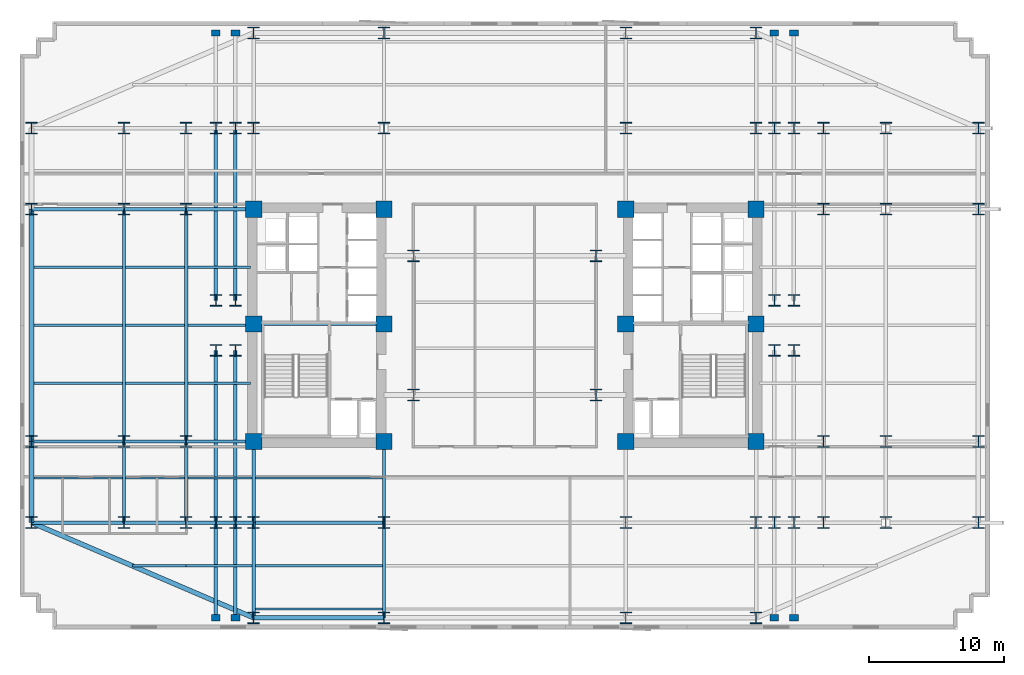
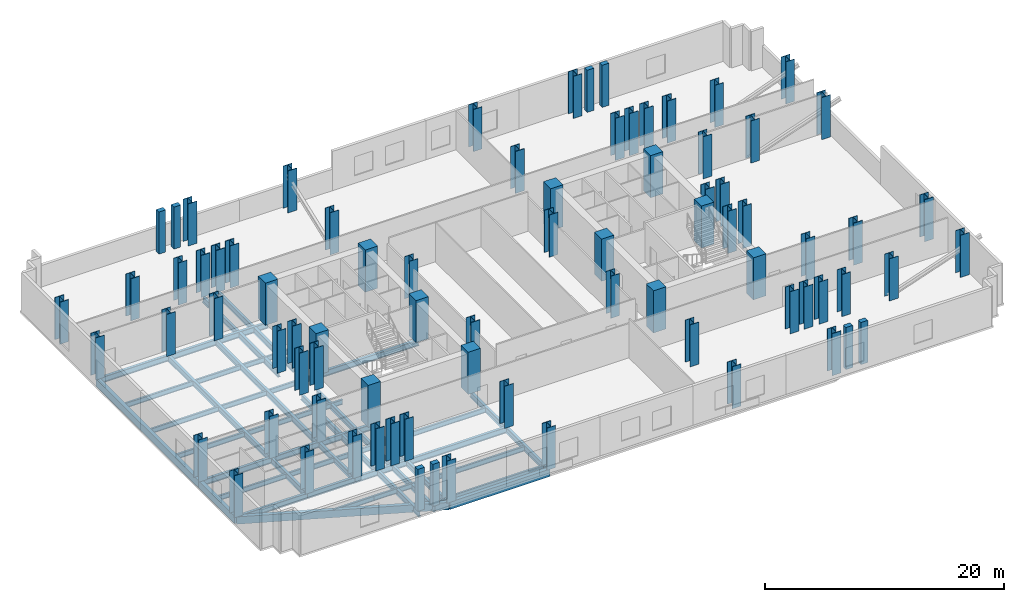
# One storey, part 1 of 9: 80 columns, 46 beams.
"""IFC4 building model written with IfcOpenShell, lengths in metres."""

from ifc_helpers import new_model, si_unit, direction, frame, origin, origin_2d, place, context, subcontext, project, spatial, rectangle, i_section, extrude, material, material_profile, profile_set, type_object, element, save


model = new_model("IFC4")

# Units and contexts
model_context = context("Model", 3, precision=1e-05, world=origin(), true_north=direction((0.0, 1.0)))
body_context = subcontext(model_context, "Body", "Model", "MODEL_VIEW")
ifc_project = project(units=[si_unit("LENGTHUNIT", "METRE"), si_unit("AREAUNIT", "SQUARE_METRE"), si_unit("VOLUMEUNIT", "CUBIC_METRE"), si_unit("PLANEANGLEUNIT", "RADIAN"), si_unit("MASSUNIT", "GRAM", prefix="KILO")], contexts=[model_context])

# Site, building, storey
site_placement = place(None, origin())
site = spatial("IfcSite", under=ifc_project, at=site_placement, CompositionType="ELEMENT")
building_placement = place(site_placement, origin())
building = spatial("IfcBuilding", under=site, at=building_placement, Name="Velakula Bourse", CompositionType="ELEMENT")
storey_placement = place(building_placement, frame((0.0, 0.0, 65.699951171875)))
storey = spatial("IfcBuildingStorey", under=building, at=storey_placement, Name="L17", CompositionType="ELEMENT", Elevation=65.699951171875)

# Columns
ifc_material_1 = material(Name="Concrete M70 (fck 70 MPa)", Category="concrete")
ifc_material_profile_1 = material_profile(ifc_material_1, rectangle(XDim=1.199951171875, YDim=1.199951171875, at=origin_2d()), Name="Concrete M70 (fck 70 MPa)")
ifc_profile_set_1 = profile_set([ifc_material_profile_1], Name="Concrete M70 (fck 70 MPa)")
column_type_1 = type_object("IfcColumnType", Name="COL-RC-1200", PredefinedType="COLUMN", material=ifc_profile_set_1)
for number, where, z_axis, x_axis, name in (
    (1, (-8.949951171875, -8.60009765625, 0.0), (0.0, 0.0, 1.0), (1.0, 0.0, 0.0), "L17 Core Boundary Column 01"),
    (2, (-8.949951171875, 0.10009765625, 0.0), (0.0, 0.0, 1.0), (1.0, 0.0, 0.0), "L17 Core Boundary Column 02"),
    (3, (-8.949951171875, 8.60009765625, 0.0), (0.0, 0.0, 1.0), (1.0, 0.0, 0.0), "L17 Core Boundary Column 03"),
    (4, (-18.60009765625, -8.60009765625, 0.0), (0.0, 0.0, 1.0), (1.0, 0.0, 0.0), "L17 Core Boundary Column 04"),
    (5, (-18.60009765625, 0.10009765625, 0.0), (0.0, 0.0, 1.0), (1.0, 0.0, 0.0), "L17 Core Boundary Column 05"),
    (6, (-18.60009765625, 8.60009765625, 0.0), (0.0, 0.0, 1.0), (1.0, 0.0, 0.0), "L17 Core Boundary Column 06"),
    (7, (8.949951171875, -8.60009765625, 0.0), (0.0, 0.0, 1.0), (1.0, 0.0, 0.0), "L17 Core Boundary Column 07"),
    (8, (8.949951171875, 0.10009765625, 0.0), (0.0, 0.0, 1.0), (1.0, 0.0, 0.0), "L17 Core Boundary Column 08"),
    (9, (8.949951171875, 8.60009765625, 0.0), (0.0, 0.0, 1.0), (1.0, 0.0, 0.0), "L17 Core Boundary Column 09"),
    (10, (18.60009765625, -8.60009765625, 0.0), (0.0, 0.0, 1.0), (1.0, 0.0, 0.0), "L17 Core Boundary Column 10"),
    (11, (18.60009765625, 0.10009765625, 0.0), (0.0, 0.0, 1.0), (1.0, 0.0, 0.0), "L17 Core Boundary Column 11"),
    (12, (18.60009765625, 8.60009765625, 0.0), (0.0, 0.0, 1.0), (1.0, 0.0, 0.0), "L17 Core Boundary Column 12"),
):
    element("IfcColumn", number, at=place(storey_placement, frame(where, z_axis=z_axis, x_axis=x_axis)), inside=storey, type_object=column_type_1, Name=name, PredefinedType="COLUMN", context=body_context, shape_type="SweptSolid", body=[
        extrude(rectangle(XDim=1.199951171875, YDim=1.199951171875, at=origin_2d()), origin(), (0.0, 0.0, 1.0), 4.300048828125),
    ])
ifc_material_2 = material(Name="Steel IS 2062 Grade 450 (E450)", Category="steel")
ifc_material_profile_2 = material_profile(ifc_material_2, i_section(OverallWidth=0.85009765625, OverallDepth=0.85009765625, WebThickness=0.031982421875, FlangeThickness=0.048095703125, at=origin_2d()), Name="Steel IS 2062 Grade 450 (E450)")
ifc_profile_set_2 = profile_set([ifc_material_profile_2], Name="Steel IS 2062 Grade 450 (E450)")
column_type_2 = type_object("IfcColumnType", Name="COL-STL-850", PredefinedType="COLUMN", material=ifc_profile_set_2)
for number, where, z_axis, x_axis, name in (
    (13, (-6.75, -5.14990234375, 0.0), (0.0, 0.0, 1.0), (1.0, 0.0, 0.0), "L17 Central Spine Column 01"),
    (14, (-6.75, 5.14990234375, 0.0), (0.0, 0.0, 1.0), (1.0, 0.0, 0.0), "L17 Central Spine Column 02"),
    (15, (6.75, -5.14990234375, 0.0), (0.0, 0.0, 1.0), (1.0, 0.0, 0.0), "L17 Central Spine Column 03"),
    (16, (6.75, 5.14990234375, 0.0), (0.0, 0.0, 1.0), (1.0, 0.0, 0.0), "L17 Central Spine Column 04"),
    (17, (-21.39990234375, -14.60009765625, 0.0), (0.0, 0.0, 1.0), (1.0, 0.0, 0.0), "L17 Tower Fulcrum Column 01"),
    (18, (-21.39990234375, 14.60009765625, 0.0), (0.0, 0.0, 1.0), (1.0, 0.0, 0.0), "L17 Tower Fulcrum Column 02"),
    (19, (-19.949951171875, -14.60009765625, 0.0), (0.0, 0.0, 1.0), (1.0, 0.0, 0.0), "L17 Tower Fulcrum Column 03"),
    (20, (-19.949951171875, 14.60009765625, 0.0), (0.0, 0.0, 1.0), (1.0, 0.0, 0.0), "L17 Tower Fulcrum Column 04"),
    (21, (-18.60009765625, -14.60009765625, 0.0), (0.0, 0.0, 1.0), (1.0, 0.0, 0.0), "L17 Tower Fulcrum Column 05"),
    (22, (-18.60009765625, 14.60009765625, 0.0), (0.0, 0.0, 1.0), (1.0, 0.0, 0.0), "L17 Tower Fulcrum Column 06"),
    (23, (-8.949951171875, -14.60009765625, 0.0), (0.0, 0.0, 1.0), (1.0, 0.0, 0.0), "L17 Tower Fulcrum Column 07"),
    (24, (-8.949951171875, 14.60009765625, 0.0), (0.0, 0.0, 1.0), (1.0, 0.0, 0.0), "L17 Tower Fulcrum Column 08"),
    (25, (8.949951171875, -14.60009765625, 0.0), (0.0, 0.0, 1.0), (1.0, 0.0, 0.0), "L17 Tower Fulcrum Column 09"),
    (26, (8.949951171875, 14.60009765625, 0.0), (0.0, 0.0, 1.0), (1.0, 0.0, 0.0), "L17 Tower Fulcrum Column 10"),
    (27, (18.60009765625, -14.60009765625, 0.0), (0.0, 0.0, 1.0), (1.0, 0.0, 0.0), "L17 Tower Fulcrum Column 11"),
    (28, (18.60009765625, 14.60009765625, 0.0), (0.0, 0.0, 1.0), (1.0, 0.0, 0.0), "L17 Tower Fulcrum Column 12"),
    (29, (19.949951171875, -14.60009765625, 0.0), (0.0, 0.0, 1.0), (1.0, 0.0, 0.0), "L17 Tower Fulcrum Column 13"),
    (30, (19.949951171875, 14.60009765625, 0.0), (0.0, 0.0, 1.0), (1.0, 0.0, 0.0), "L17 Tower Fulcrum Column 14"),
    (31, (21.39990234375, -14.60009765625, 0.0), (0.0, 0.0, 1.0), (1.0, 0.0, 0.0), "L17 Tower Fulcrum Column 15"),
    (32, (21.39990234375, 14.60009765625, 0.0), (0.0, 0.0, 1.0), (1.0, 0.0, 0.0), "L17 Tower Fulcrum Column 16"),
    (33, (-21.39990234375, -1.85009765625, 0.0), (0.0, 0.0, 1.0), (1.0, 0.0, 0.0), "L17 Tower Fulcrum Column 17"),
    (34, (-21.39990234375, 1.85009765625, 0.0), (0.0, 0.0, 1.0), (1.0, 0.0, 0.0), "L17 Tower Fulcrum Column 18"),
    (35, (-19.949951171875, -1.85009765625, 0.0), (0.0, 0.0, 1.0), (1.0, 0.0, 0.0), "L17 Tower Fulcrum Column 19"),
    (36, (-19.949951171875, 1.85009765625, 0.0), (0.0, 0.0, 1.0), (1.0, 0.0, 0.0), "L17 Tower Fulcrum Column 20"),
    (37, (19.949951171875, -1.85009765625, 0.0), (0.0, 0.0, 1.0), (1.0, 0.0, 0.0), "L17 Tower Fulcrum Column 21"),
    (38, (19.949951171875, 1.85009765625, 0.0), (0.0, 0.0, 1.0), (1.0, 0.0, 0.0), "L17 Tower Fulcrum Column 22"),
    (39, (21.39990234375, -1.85009765625, 0.0), (0.0, 0.0, 1.0), (1.0, 0.0, 0.0), "L17 Tower Fulcrum Column 23"),
    (40, (21.39990234375, 1.85009765625, 0.0), (0.0, 0.0, 1.0), (1.0, 0.0, 0.0), "L17 Tower Fulcrum Column 24"),
    (41, (-23.60009765625, -14.60009765625, 0.0), (0.0, 0.0, 1.0), (1.0, 0.0, 0.0), "L17 Mid-Wing Plumb Column 01"),
    (42, (-23.60009765625, -8.60009765625, 0.0), (0.0, 0.0, 1.0), (1.0, 0.0, 0.0), "L17 Mid-Wing Plumb Column 02"),
    (43, (-23.60009765625, 8.60009765625, 0.0), (0.0, 0.0, 1.0), (1.0, 0.0, 0.0), "L17 Mid-Wing Plumb Column 03"),
    (44, (-23.60009765625, 14.60009765625, 0.0), (0.0, 0.0, 1.0), (1.0, 0.0, 0.0), "L17 Mid-Wing Plumb Column 04"),
    (45, (23.60009765625, -14.60009765625, 0.0), (0.0, 0.0, 1.0), (1.0, 0.0, 0.0), "L17 Mid-Wing Plumb Column 05"),
    (46, (23.60009765625, -8.60009765625, 0.0), (0.0, 0.0, 1.0), (1.0, 0.0, 0.0), "L17 Mid-Wing Plumb Column 06"),
    (47, (23.60009765625, 8.60009765625, 0.0), (0.0, 0.0, 1.0), (1.0, 0.0, 0.0), "L17 Mid-Wing Plumb Column 07"),
    (48, (23.60009765625, 14.60009765625, 0.0), (0.0, 0.0, 1.0), (1.0, 0.0, 0.0), "L17 Mid-Wing Plumb Column 08"),
    (49, (-28.199951171875, -14.60009765625, 0.0), (0.0, 0.0, 1.0), (1.0, 0.0, 0.0), "L17 Lower Wing Column 01"),
    (50, (-28.199951171875, -8.60009765625, 0.0), (0.0, 0.0, 1.0), (1.0, 0.0, 0.0), "L17 Lower Wing Column 02"),
    (51, (-28.199951171875, 8.60009765625, 0.0), (0.0, 0.0, 1.0), (1.0, 0.0, 0.0), "L17 Lower Wing Column 03"),
    (52, (-28.199951171875, 14.60009765625, 0.0), (0.0, 0.0, 1.0), (1.0, 0.0, 0.0), "L17 Lower Wing Column 04"),
    (53, (28.199951171875, -14.60009765625, 0.0), (0.0, 0.0, 1.0), (1.0, 0.0, 0.0), "L17 Lower Wing Column 05"),
    (54, (28.199951171875, -8.60009765625, 0.0), (0.0, 0.0, 1.0), (1.0, 0.0, 0.0), "L17 Lower Wing Column 06"),
    (55, (28.199951171875, 8.60009765625, 0.0), (0.0, 0.0, 1.0), (1.0, 0.0, 0.0), "L17 Lower Wing Column 07"),
    (56, (28.199951171875, 14.60009765625, 0.0), (0.0, 0.0, 1.0), (1.0, 0.0, 0.0), "L17 Lower Wing Column 08"),
    (57, (-18.60009765625, -21.64990234375, 0.0), (0.0, 0.0, 1.0), (1.0, 0.0, 0.0), "L17 Block B1 Perimeter Column S1"),
    (58, (-8.949951171875, -21.64990234375, 0.0), (0.0, 0.0, 1.0), (1.0, 0.0, 0.0), "L17 Block B1 Perimeter Column S2"),
    (59, (8.949951171875, -21.64990234375, 0.0), (0.0, 0.0, 1.0), (1.0, 0.0, 0.0), "L17 Block B1 Perimeter Column S3"),
    (60, (18.60009765625, -21.64990234375, 0.0), (0.0, 0.0, 1.0), (1.0, 0.0, 0.0), "L17 Block B1 Perimeter Column S4"),
    (61, (-18.60009765625, 21.64990234375, 0.0), (0.0, 0.0, 1.0), (1.0, 0.0, 0.0), "L17 Block B1 Perimeter Column N1"),
    (62, (-8.949951171875, 21.64990234375, 0.0), (0.0, 0.0, 1.0), (1.0, 0.0, 0.0), "L17 Block B1 Perimeter Column N2"),
    (63, (8.949951171875, 21.64990234375, 0.0), (0.0, 0.0, 1.0), (1.0, 0.0, 0.0), "L17 Block B1 Perimeter Column N3"),
    (64, (18.60009765625, 21.64990234375, 0.0), (0.0, 0.0, 1.0), (1.0, 0.0, 0.0), "L17 Block B1 Perimeter Column N4"),
    (65, (-35.050048828125, -14.60009765625, 0.0), (0.0, 0.0, 1.0), (1.0, 0.0, 0.0), "L17 Block B1 Perimeter Column W1"),
    (66, (-35.050048828125, -8.60009765625, 0.0), (0.0, 0.0, 1.0), (1.0, 0.0, 0.0), "L17 Block B1 Perimeter Column W2"),
    (67, (-35.050048828125, 8.60009765625, 0.0), (0.0, 0.0, 1.0), (1.0, 0.0, 0.0), "L17 Block B1 Perimeter Column W3"),
    (68, (-35.050048828125, 14.60009765625, 0.0), (0.0, 0.0, 1.0), (1.0, 0.0, 0.0), "L17 Block B1 Perimeter Column W4"),
    (69, (35.050048828125, -14.60009765625, 0.0), (0.0, 0.0, 1.0), (1.0, 0.0, 0.0), "L17 Block B1 Perimeter Column E1"),
    (70, (35.050048828125, -8.60009765625, 0.0), (0.0, 0.0, 1.0), (1.0, 0.0, 0.0), "L17 Block B1 Perimeter Column E2"),
    (71, (35.050048828125, 8.60009765625, 0.0), (0.0, 0.0, 1.0), (1.0, 0.0, 0.0), "L17 Block B1 Perimeter Column E3"),
    (72, (35.050048828125, 14.60009765625, 0.0), (0.0, 0.0, 1.0), (1.0, 0.0, 0.0), "L17 Block B1 Perimeter Column E4"),
):
    element("IfcColumn", number, at=place(storey_placement, frame(where, z_axis=z_axis, x_axis=x_axis)), inside=storey, type_object=column_type_2, Name=name, PredefinedType="COLUMN", context=body_context, shape_type="SweptSolid", body=[
        extrude(i_section(OverallWidth=0.85009765625, OverallDepth=0.85009765625, WebThickness=0.031982421875, FlangeThickness=0.048095703125, at=origin_2d()), origin(), (0.0, 0.0, 1.0), 4.300048828125),
    ])
ifc_material_3 = material(Name="Precast concrete M45 (fck 45 MPa)", Category="concrete")
ifc_material_profile_3 = material_profile(ifc_material_3, rectangle(XDim=0.64990234375, YDim=0.449951171875, at=origin_2d()), Name="Precast concrete M45 (fck 45 MPa)")
ifc_profile_set_3 = profile_set([ifc_material_profile_3], Name="Precast concrete M45 (fck 45 MPa)")
column_type_3 = type_object("IfcColumnType", Name="PIL-BRICK-650", PredefinedType="PILASTER", material=ifc_profile_set_3)
for number, where, z_axis, x_axis, name in (
    (73, (-21.39990234375, -21.64990234375, 0.0), (0.0, 0.0, 1.0), (1.0, 0.0, 0.0), "L17 Brick Pier Pilaster 01"),
    (74, (-19.949951171875, -21.64990234375, 0.0), (0.0, 0.0, 1.0), (1.0, 0.0, 0.0), "L17 Brick Pier Pilaster 02"),
    (75, (19.949951171875, -21.64990234375, 0.0), (0.0, 0.0, 1.0), (1.0, 0.0, 0.0), "L17 Brick Pier Pilaster 03"),
    (76, (21.39990234375, -21.64990234375, 0.0), (0.0, 0.0, 1.0), (1.0, 0.0, 0.0), "L17 Brick Pier Pilaster 04"),
    (77, (-21.39990234375, 21.64990234375, 0.0), (0.0, 0.0, 1.0), (1.0, 0.0, 0.0), "L17 Brick Pier Pilaster 05"),
    (78, (-19.949951171875, 21.64990234375, 0.0), (0.0, 0.0, 1.0), (1.0, 0.0, 0.0), "L17 Brick Pier Pilaster 06"),
    (79, (19.949951171875, 21.64990234375, 0.0), (0.0, 0.0, 1.0), (1.0, 0.0, 0.0), "L17 Brick Pier Pilaster 07"),
    (80, (21.39990234375, 21.64990234375, 0.0), (0.0, 0.0, 1.0), (1.0, 0.0, 0.0), "L17 Brick Pier Pilaster 08"),
):
    element("IfcColumn", number, at=place(storey_placement, frame(where, z_axis=z_axis, x_axis=x_axis)), inside=storey, type_object=column_type_3, Name=name, PredefinedType="PILASTER", context=body_context, shape_type="SweptSolid", body=[
        extrude(rectangle(XDim=0.64990234375, YDim=0.449951171875, at=origin_2d()), origin(), (0.0, 0.0, 1.0), 4.300048828125),
    ])

# Beams
ifc_material_4 = material(Name="Steel IS 2062 Grade 350 (E350)", Category="steel")
ifc_material_profile_4 = material_profile(ifc_material_4, i_section(OverallWidth=0.25, OverallDepth=0.60009765625, WebThickness=0.01171875, FlangeThickness=0.023681640625, at=origin_2d()), Name="Steel IS 2062 Grade 350 (E350)")
ifc_profile_set_4 = profile_set([ifc_material_profile_4], Name="Steel IS 2062 Grade 350 (E350)")
beam_type_1 = type_object("IfcBeamType", Name="BM-GRD-600H", PredefinedType="BEAM", material=ifc_profile_set_4)
beam_1_placement = place(storey_placement, frame((-18.60009765625, 0.10009765625, -0.47998046875), z_axis=(1.0, 0.0, 0.0), x_axis=(0.0, 1.0, 0.0)))
element("IfcBeam", 81, at=beam_1_placement, inside=storey, type_object=beam_type_1, Name="L17 Primary Backbone Girder CRW-M", PredefinedType="BEAM", context=body_context, shape_type="SweptSolid", body=[
    extrude(i_section(OverallWidth=0.25, OverallDepth=0.60009765625, WebThickness=0.01171875, FlangeThickness=0.023681640625, at=origin_2d()), origin(), (0.0, 0.0, 1.0), 9.650146484375),
])
for number, where, z_axis, x_axis, name in (
    (82, (-18.60009765625, -14.60009765625, -0.47998046875), (0.0, 1.0, 0.0), (-1.0, 0.0, 0.0), "L17 Fulcrum Grid Girder FLC-WS"),
    (83, (-8.949951171875, -14.60009765625, -0.47998046875), (0.0, 1.0, 0.0), (-1.0, 0.0, 0.0), "L17 Fulcrum Grid Girder FLC-WCS"),
):
    element("IfcBeam", number, at=place(storey_placement, frame(where, z_axis=z_axis, x_axis=x_axis)), inside=storey, type_object=beam_type_1, Name=name, PredefinedType="BEAM", context=body_context, shape_type="SweptSolid", body=[
        extrude(i_section(OverallWidth=0.25, OverallDepth=0.60009765625, WebThickness=0.01171875, FlangeThickness=0.023681640625, at=origin_2d()), origin(), (0.0, 0.0, 1.0), 6.0),
    ])
beam_2_placement = place(storey_placement, frame((-18.60009765625, -14.60009765625, -0.47998046875), z_axis=(1.0, 0.0, 0.0), x_axis=(0.0, 1.0, 0.0)))
element("IfcBeam", 84, at=beam_2_placement, inside=storey, type_object=beam_type_1, Name="L17 Fulcrum Grid Girder FLC-S1", PredefinedType="BEAM", context=body_context, shape_type="SweptSolid", body=[
    extrude(i_section(OverallWidth=0.25, OverallDepth=0.60009765625, WebThickness=0.01171875, FlangeThickness=0.023681640625, at=origin_2d()), origin(), (0.0, 0.0, 1.0), 9.650146484375),
])
for number, where, z_axis, x_axis, name in (
    (85, (-21.39990234375, -14.60009765625, -0.47998046875), (0.0, 1.0, 0.0), (-1.0, 0.0, 0.0), "L17 Fulcrum Grid Girder FLC-PSW1"),
    (86, (-21.39990234375, 1.85009765625, -0.47998046875), (0.0, 1.0, 0.0), (-1.0, 0.0, 0.0), "L17 Fulcrum Grid Girder FLC-PNW1"),
    (87, (-19.949951171875, -14.60009765625, -0.47998046875), (0.0, 1.0, 0.0), (-1.0, 0.0, 0.0), "L17 Fulcrum Grid Girder FLC-PSW2"),
    (88, (-19.949951171875, 1.85009765625, -0.47998046875), (0.0, 1.0, 0.0), (-1.0, 0.0, 0.0), "L17 Fulcrum Grid Girder FLC-PNW2"),
):
    element("IfcBeam", number, at=place(storey_placement, frame(where, z_axis=z_axis, x_axis=x_axis)), inside=storey, type_object=beam_type_1, Name=name, PredefinedType="BEAM", context=body_context, shape_type="SweptSolid", body=[
        extrude(i_section(OverallWidth=0.25, OverallDepth=0.60009765625, WebThickness=0.01171875, FlangeThickness=0.023681640625, at=origin_2d()), origin(), (0.0, 0.0, 1.0), 12.75),
    ])
for number, where, z_axis, x_axis, name in (
    (89, (-23.60009765625, -14.60009765625, -0.47998046875), (1.0, 0.0, 0.0), (0.0, 1.0, 0.0), "L17 Fulcrum Grid Girder MWG-WS1"),
    (90, (-23.60009765625, -8.60009765625, -0.47998046875), (1.0, 0.0, 0.0), (0.0, 1.0, 0.0), "L17 Fulcrum Grid Girder MWG-WS2"),
    (91, (-23.60009765625, 8.60009765625, -0.47998046875), (1.0, 0.0, 0.0), (0.0, 1.0, 0.0), "L17 Fulcrum Grid Girder MWG-WN1"),
):
    element("IfcBeam", number, at=place(storey_placement, frame(where, z_axis=z_axis, x_axis=x_axis)), inside=storey, type_object=beam_type_1, Name=name, PredefinedType="BEAM", context=body_context, shape_type="SweptSolid", body=[
        extrude(i_section(OverallWidth=0.25, OverallDepth=0.60009765625, WebThickness=0.01171875, FlangeThickness=0.023681640625, at=origin_2d()), origin(), (0.0, 0.0, 1.0), 5.0),
    ])
beam_3_placement = place(storey_placement, frame((-23.60009765625, -14.60009765625, -0.47998046875), z_axis=(0.0, 1.0, 0.0), x_axis=(-1.0, 0.0, 0.0)))
element("IfcBeam", 92, at=beam_3_placement, inside=storey, type_object=beam_type_1, Name="L17 Fulcrum Grid Girder MWG-WNS1", PredefinedType="BEAM", context=body_context, shape_type="SweptSolid", body=[
    extrude(i_section(OverallWidth=0.25, OverallDepth=0.60009765625, WebThickness=0.01171875, FlangeThickness=0.023681640625, at=origin_2d()), origin(), (0.0, 0.0, 1.0), 6.0),
])
beam_4_placement = place(storey_placement, frame((-23.60009765625, -8.60009765625, -0.47998046875), z_axis=(0.0, 1.0, 0.0), x_axis=(-1.0, 0.0, 0.0)))
element("IfcBeam", 93, at=beam_4_placement, inside=storey, type_object=beam_type_1, Name="L17 Fulcrum Grid Girder MWG-WNS2", PredefinedType="BEAM", context=body_context, shape_type="SweptSolid", body=[
    extrude(i_section(OverallWidth=0.25, OverallDepth=0.60009765625, WebThickness=0.01171875, FlangeThickness=0.023681640625, at=origin_2d()), origin(), (0.0, 0.0, 1.0), 17.2001953125),
])
for number, where, z_axis, x_axis, name in (
    (94, (-28.199951171875, -14.60009765625, -0.47998046875), (1.0, 0.0, 0.0), (0.0, 1.0, 0.0), "L17 Fulcrum Grid Girder WNG-WS1"),
    (95, (-28.199951171875, -8.60009765625, -0.47998046875), (1.0, 0.0, 0.0), (0.0, 1.0, 0.0), "L17 Fulcrum Grid Girder WNG-WS2"),
    (96, (-28.199951171875, 8.60009765625, -0.47998046875), (1.0, 0.0, 0.0), (0.0, 1.0, 0.0), "L17 Fulcrum Grid Girder WNG-WN1"),
):
    element("IfcBeam", number, at=place(storey_placement, frame(where, z_axis=z_axis, x_axis=x_axis)), inside=storey, type_object=beam_type_1, Name=name, PredefinedType="BEAM", context=body_context, shape_type="SweptSolid", body=[
        extrude(i_section(OverallWidth=0.25, OverallDepth=0.60009765625, WebThickness=0.01171875, FlangeThickness=0.023681640625, at=origin_2d()), origin(), (0.0, 0.0, 1.0), 4.599853515625),
    ])
beam_5_placement = place(storey_placement, frame((-28.199951171875, -14.60009765625, -0.47998046875), z_axis=(0.0, 1.0, 0.0), x_axis=(-1.0, 0.0, 0.0)))
element("IfcBeam", 97, at=beam_5_placement, inside=storey, type_object=beam_type_1, Name="L17 Fulcrum Grid Girder WNG-WNS1", PredefinedType="BEAM", context=body_context, shape_type="SweptSolid", body=[
    extrude(i_section(OverallWidth=0.25, OverallDepth=0.60009765625, WebThickness=0.01171875, FlangeThickness=0.023681640625, at=origin_2d()), origin(), (0.0, 0.0, 1.0), 6.0),
])
beam_6_placement = place(storey_placement, frame((-28.199951171875, -8.60009765625, -0.47998046875), z_axis=(0.0, 1.0, 0.0), x_axis=(-1.0, 0.0, 0.0)))
element("IfcBeam", 98, at=beam_6_placement, inside=storey, type_object=beam_type_1, Name="L17 Fulcrum Grid Girder WNG-WNS2", PredefinedType="BEAM", context=body_context, shape_type="SweptSolid", body=[
    extrude(i_section(OverallWidth=0.25, OverallDepth=0.60009765625, WebThickness=0.01171875, FlangeThickness=0.023681640625, at=origin_2d()), origin(), (0.0, 0.0, 1.0), 17.2001953125),
])
for number, where, z_axis, x_axis, name in (
    (99, (-18.60009765625, -14.60009765625, -0.47998046875), (0.0, -1.0, 0.0), (1.0, 0.0, 0.0), "L17 Perimeter Tie Girder S1"),
    (100, (-8.949951171875, -14.60009765625, -0.47998046875), (0.0, -1.0, 0.0), (1.0, 0.0, 0.0), "L17 Perimeter Tie Girder S2"),
):
    element("IfcBeam", number, at=place(storey_placement, frame(where, z_axis=z_axis, x_axis=x_axis)), inside=storey, type_object=beam_type_1, Name=name, PredefinedType="BEAM", context=body_context, shape_type="SweptSolid", body=[
        extrude(i_section(OverallWidth=0.25, OverallDepth=0.60009765625, WebThickness=0.01171875, FlangeThickness=0.023681640625, at=origin_2d()), origin(), (0.0, 0.0, 1.0), 7.0498046875),
    ])
for number, where, z_axis, x_axis, name in (
    (101, (-28.199951171875, -14.60009765625, -0.47998046875), (-1.0, 0.0, 0.0), (0.0, -1.0, 0.0), "L17 Perimeter Tie Girder W1"),
    (102, (-28.199951171875, -8.60009765625, -0.47998046875), (-1.0, 0.0, 0.0), (0.0, -1.0, 0.0), "L17 Perimeter Tie Girder W2"),
    (103, (-28.199951171875, 8.60009765625, -0.47998046875), (-1.0, 0.0, 0.0), (0.0, -1.0, 0.0), "L17 Perimeter Tie Girder W3"),
):
    element("IfcBeam", number, at=place(storey_placement, frame(where, z_axis=z_axis, x_axis=x_axis)), inside=storey, type_object=beam_type_1, Name=name, PredefinedType="BEAM", context=body_context, shape_type="SweptSolid", body=[
        extrude(i_section(OverallWidth=0.25, OverallDepth=0.60009765625, WebThickness=0.01171875, FlangeThickness=0.023681640625, at=origin_2d()), origin(), (0.0, 0.0, 1.0), 6.85009765625),
    ])
for number, where, z_axis, x_axis, name in (
    (104, (-21.39990234375, -14.60009765625, -0.47998046875), (0.0, -1.0, 0.0), (1.0, 0.0, 0.0), "L17 Perimeter Tie Girder P01"),
    (105, (-19.949951171875, -14.60009765625, -0.47998046875), (0.0, -1.0, 0.0), (1.0, 0.0, 0.0), "L17 Perimeter Tie Girder P02"),
):
    element("IfcBeam", number, at=place(storey_placement, frame(where, z_axis=z_axis, x_axis=x_axis)), inside=storey, type_object=beam_type_1, Name=name, PredefinedType="BEAM", context=body_context, shape_type="SweptSolid", body=[
        extrude(i_section(OverallWidth=0.25, OverallDepth=0.60009765625, WebThickness=0.01171875, FlangeThickness=0.023681640625, at=origin_2d()), origin(), (0.0, 0.0, 1.0), 7.0498046875),
    ])
ifc_material_profile_5 = material_profile(ifc_material_4, i_section(OverallWidth=0.179931640625, OverallDepth=0.5, WebThickness=0.01025390625, FlangeThickness=0.01708984375, at=origin_2d()), Name="Steel IS 2062 Grade 350 (E350)")
ifc_profile_set_5 = profile_set([ifc_material_profile_5], Name="Steel IS 2062 Grade 350 (E350)")
beam_type_2 = type_object("IfcBeamType", Name="JST-TWR-500", PredefinedType="JOIST", material=ifc_profile_set_5)
beam_7_placement = place(storey_placement, frame((-18.47509765625, -21.0, -0.429931640625), z_axis=(1.0, 0.0, 0.0), x_axis=(0.0, 1.0, 0.0)))
element("IfcBeam", 106, at=beam_7_placement, inside=storey, type_object=beam_type_2, Name="L17 Trading Floor Composite Joist 01", PredefinedType="JOIST", context=body_context, shape_type="SweptSolid", body=[
    extrude(i_section(OverallWidth=0.179931640625, OverallDepth=0.5, WebThickness=0.01025390625, FlangeThickness=0.01708984375, at=origin_2d()), origin(), (0.0, 0.0, 1.0), 9.400146484375),
])
beam_8_placement = place(storey_placement, frame((-27.583251953125, -17.800048828125, -0.429931640625), z_axis=(1.0, 0.0, 0.0), x_axis=(0.0, 1.0, 0.0)))
element("IfcBeam", 107, at=beam_8_placement, inside=storey, type_object=beam_type_2, Name="L17 Trading Floor Composite Joist 04", PredefinedType="JOIST", context=body_context, shape_type="SweptSolid", body=[
    extrude(i_section(OverallWidth=0.179931640625, OverallDepth=0.5, WebThickness=0.01025390625, FlangeThickness=0.01708984375, at=origin_2d()), origin(), (0.0, 0.0, 1.0), 3.983154296875),
])
beam_9_placement = place(storey_placement, frame((-23.60009765625, -17.800048828125, -0.429931640625), z_axis=(1.0, 0.0, 0.0), x_axis=(0.0, 1.0, 0.0)))
element("IfcBeam", 108, at=beam_9_placement, inside=storey, type_object=beam_type_2, Name="L17 Trading Floor Composite Joist 05", PredefinedType="JOIST", context=body_context, shape_type="SweptSolid", body=[
    extrude(i_section(OverallWidth=0.179931640625, OverallDepth=0.5, WebThickness=0.01025390625, FlangeThickness=0.01708984375, at=origin_2d()), origin(), (0.0, 0.0, 1.0), 4.875),
])
beam_10_placement = place(storey_placement, frame((-18.47509765625, -17.800048828125, -0.429931640625), z_axis=(1.0, 0.0, 0.0), x_axis=(0.0, 1.0, 0.0)))
element("IfcBeam", 109, at=beam_10_placement, inside=storey, type_object=beam_type_2, Name="L17 Trading Floor Composite Joist 06", PredefinedType="JOIST", context=body_context, shape_type="SweptSolid", body=[
    extrude(i_section(OverallWidth=0.179931640625, OverallDepth=0.5, WebThickness=0.01025390625, FlangeThickness=0.01708984375, at=origin_2d()), origin(), (0.0, 0.0, 1.0), 9.400146484375),
])
beam_11_placement = place(storey_placement, frame((-34.875, -11.300048828125, -0.429931640625), z_axis=(1.0, 0.0, 0.0), x_axis=(0.0, 1.0, 0.0)))
element("IfcBeam", 110, at=beam_11_placement, inside=storey, type_object=beam_type_2, Name="L17 Trading Floor Composite Joist 11", PredefinedType="JOIST", context=body_context, shape_type="SweptSolid", body=[
    extrude(i_section(OverallWidth=0.179931640625, OverallDepth=0.5, WebThickness=0.01025390625, FlangeThickness=0.01708984375, at=origin_2d()), origin(), (0.0, 0.0, 1.0), 6.550048828125),
])
beam_12_placement = place(storey_placement, frame((-28.074951171875, -11.300048828125, -0.429931640625), z_axis=(1.0, 0.0, 0.0), x_axis=(0.0, 1.0, 0.0)))
element("IfcBeam", 111, at=beam_12_placement, inside=storey, type_object=beam_type_2, Name="L17 Trading Floor Composite Joist 12", PredefinedType="JOIST", context=body_context, shape_type="SweptSolid", body=[
    extrude(i_section(OverallWidth=0.179931640625, OverallDepth=0.5, WebThickness=0.01025390625, FlangeThickness=0.01708984375, at=origin_2d()), origin(), (0.0, 0.0, 1.0), 4.349853515625),
])
beam_13_placement = place(storey_placement, frame((-23.47509765625, -11.300048828125, -0.429931640625), z_axis=(1.0, 0.0, 0.0), x_axis=(0.0, 1.0, 0.0)))
element("IfcBeam", 112, at=beam_13_placement, inside=storey, type_object=beam_type_2, Name="L17 Trading Floor Composite Joist 13", PredefinedType="JOIST", context=body_context, shape_type="SweptSolid", body=[
    extrude(i_section(OverallWidth=0.179931640625, OverallDepth=0.5, WebThickness=0.01025390625, FlangeThickness=0.01708984375, at=origin_2d()), origin(), (0.0, 0.0, 1.0), 4.75),
])
beam_14_placement = place(storey_placement, frame((-18.47509765625, -11.300048828125, -0.429931640625), z_axis=(1.0, 0.0, 0.0), x_axis=(0.0, 1.0, 0.0)))
element("IfcBeam", 113, at=beam_14_placement, inside=storey, type_object=beam_type_2, Name="L17 Trading Floor Composite Joist 14", PredefinedType="JOIST", context=body_context, shape_type="SweptSolid", body=[
    extrude(i_section(OverallWidth=0.179931640625, OverallDepth=0.5, WebThickness=0.01025390625, FlangeThickness=0.01708984375, at=origin_2d()), origin(), (0.0, 0.0, 1.0), 9.400146484375),
])
beam_15_placement = place(storey_placement, frame((-34.875, -4.300048828125, -0.429931640625), z_axis=(1.0, 0.0, 0.0), x_axis=(0.0, 1.0, 0.0)))
element("IfcBeam", 114, at=beam_15_placement, inside=storey, type_object=beam_type_2, Name="L17 Trading Floor Composite Joist 41", PredefinedType="JOIST", context=body_context, shape_type="SweptSolid", body=[
    extrude(i_section(OverallWidth=0.179931640625, OverallDepth=0.5, WebThickness=0.01025390625, FlangeThickness=0.01708984375, at=origin_2d()), origin(), (0.0, 0.0, 1.0), 6.550048828125),
])
beam_16_placement = place(storey_placement, frame((-28.074951171875, -4.300048828125, -0.429931640625), z_axis=(1.0, 0.0, 0.0), x_axis=(0.0, 1.0, 0.0)))
element("IfcBeam", 115, at=beam_16_placement, inside=storey, type_object=beam_type_2, Name="L17 Trading Floor Composite Joist 42", PredefinedType="JOIST", context=body_context, shape_type="SweptSolid", body=[
    extrude(i_section(OverallWidth=0.179931640625, OverallDepth=0.5, WebThickness=0.01025390625, FlangeThickness=0.01708984375, at=origin_2d()), origin(), (0.0, 0.0, 1.0), 4.349853515625),
])
beam_17_placement = place(storey_placement, frame((-23.47509765625, -4.300048828125, -0.429931640625), z_axis=(1.0, 0.0, 0.0), x_axis=(0.0, 1.0, 0.0)))
element("IfcBeam", 116, at=beam_17_placement, inside=storey, type_object=beam_type_2, Name="L17 Trading Floor Composite Joist 43", PredefinedType="JOIST", context=body_context, shape_type="SweptSolid", body=[
    extrude(i_section(OverallWidth=0.179931640625, OverallDepth=0.5, WebThickness=0.01025390625, FlangeThickness=0.01708984375, at=origin_2d()), origin(), (0.0, 0.0, 1.0), 4.625),
])
beam_18_placement = place(storey_placement, frame((-34.875, 0.0, -0.429931640625), z_axis=(1.0, 0.0, 0.0), x_axis=(0.0, 1.0, 0.0)))
element("IfcBeam", 117, at=beam_18_placement, inside=storey, type_object=beam_type_2, Name="L17 Trading Floor Composite Joist 47", PredefinedType="JOIST", context=body_context, shape_type="SweptSolid", body=[
    extrude(i_section(OverallWidth=0.179931640625, OverallDepth=0.5, WebThickness=0.01025390625, FlangeThickness=0.01708984375, at=origin_2d()), origin(), (0.0, 0.0, 1.0), 6.550048828125),
])
beam_19_placement = place(storey_placement, frame((-28.074951171875, 0.0, -0.429931640625), z_axis=(1.0, 0.0, 0.0), x_axis=(0.0, 1.0, 0.0)))
element("IfcBeam", 118, at=beam_19_placement, inside=storey, type_object=beam_type_2, Name="L17 Trading Floor Composite Joist 48", PredefinedType="JOIST", context=body_context, shape_type="SweptSolid", body=[
    extrude(i_section(OverallWidth=0.179931640625, OverallDepth=0.5, WebThickness=0.01025390625, FlangeThickness=0.01708984375, at=origin_2d()), origin(), (0.0, 0.0, 1.0), 4.349853515625),
])
beam_20_placement = place(storey_placement, frame((-23.47509765625, 0.0, -0.429931640625), z_axis=(1.0, 0.0, 0.0), x_axis=(0.0, 1.0, 0.0)))
element("IfcBeam", 119, at=beam_20_placement, inside=storey, type_object=beam_type_2, Name="L17 Trading Floor Composite Joist 49", PredefinedType="JOIST", context=body_context, shape_type="SweptSolid", body=[
    extrude(i_section(OverallWidth=0.179931640625, OverallDepth=0.5, WebThickness=0.01025390625, FlangeThickness=0.01708984375, at=origin_2d()), origin(), (0.0, 0.0, 1.0), 4.625),
])
beam_21_placement = place(storey_placement, frame((-34.875, 4.300048828125, -0.429931640625), z_axis=(1.0, 0.0, 0.0), x_axis=(0.0, 1.0, 0.0)))
element("IfcBeam", 120, at=beam_21_placement, inside=storey, type_object=beam_type_2, Name="L17 Trading Floor Composite Joist 53", PredefinedType="JOIST", context=body_context, shape_type="SweptSolid", body=[
    extrude(i_section(OverallWidth=0.179931640625, OverallDepth=0.5, WebThickness=0.01025390625, FlangeThickness=0.01708984375, at=origin_2d()), origin(), (0.0, 0.0, 1.0), 6.550048828125),
])
beam_22_placement = place(storey_placement, frame((-28.074951171875, 4.300048828125, -0.429931640625), z_axis=(1.0, 0.0, 0.0), x_axis=(0.0, 1.0, 0.0)))
element("IfcBeam", 121, at=beam_22_placement, inside=storey, type_object=beam_type_2, Name="L17 Trading Floor Composite Joist 54", PredefinedType="JOIST", context=body_context, shape_type="SweptSolid", body=[
    extrude(i_section(OverallWidth=0.179931640625, OverallDepth=0.5, WebThickness=0.01025390625, FlangeThickness=0.01708984375, at=origin_2d()), origin(), (0.0, 0.0, 1.0), 4.349853515625),
])
beam_23_placement = place(storey_placement, frame((-23.47509765625, 4.300048828125, -0.429931640625), z_axis=(1.0, 0.0, 0.0), x_axis=(0.0, 1.0, 0.0)))
element("IfcBeam", 122, at=beam_23_placement, inside=storey, type_object=beam_type_2, Name="L17 Trading Floor Composite Joist 55", PredefinedType="JOIST", context=body_context, shape_type="SweptSolid", body=[
    extrude(i_section(OverallWidth=0.179931640625, OverallDepth=0.5, WebThickness=0.01025390625, FlangeThickness=0.01708984375, at=origin_2d()), origin(), (0.0, 0.0, 1.0), 4.625),
])
ifc_material_profile_6 = material_profile(ifc_material_3, rectangle(XDim=0.35009765625, YDim=0.75, at=origin_2d()), Name="Precast concrete M45 (fck 45 MPa)")
ifc_profile_set_6 = profile_set([ifc_material_profile_6], Name="Precast concrete M45 (fck 45 MPa)")
beam_type_3 = type_object("IfcBeamType", Name="SPN-BRICK-750", PredefinedType="SPANDREL", material=ifc_profile_set_6)
beam_24_placement = place(storey_placement, frame((-18.60009765625, -21.64990234375, -0.554931640625), z_axis=(1.0, 0.0, 0.0), x_axis=(0.0, 1.0, 0.0)))
element("IfcBeam", 123, at=beam_24_placement, inside=storey, type_object=beam_type_3, Name="L17 Brick-Faced Precast Spandrel S1-S2", PredefinedType="SPANDREL", context=body_context, shape_type="SweptSolid", body=[
    extrude(rectangle(XDim=0.35009765625, YDim=0.75, at=origin_2d()), origin(), (0.0, 0.0, 1.0), 9.650146484375),
])
beam_25_placement = place(storey_placement, frame((-35.050048828125, -14.60009765625, -0.554931640625), z_axis=(0.0, 1.0, 0.0), x_axis=(-1.0, 0.0, 0.0)))
element("IfcBeam", 124, at=beam_25_placement, inside=storey, type_object=beam_type_3, Name="L17 Brick-Faced Precast Spandrel W1-W2", PredefinedType="SPANDREL", context=body_context, shape_type="SweptSolid", body=[
    extrude(rectangle(XDim=0.35009765625, YDim=0.75, at=origin_2d()), origin(), (0.0, 0.0, 1.0), 6.0),
])
beam_26_placement = place(storey_placement, frame((-35.050048828125, -8.60009765625, -0.554931640625), z_axis=(0.0, 1.0, 0.0), x_axis=(-1.0, 0.0, 0.0)))
element("IfcBeam", 125, at=beam_26_placement, inside=storey, type_object=beam_type_3, Name="L17 Brick-Faced Precast Spandrel W2-W3", PredefinedType="SPANDREL", context=body_context, shape_type="SweptSolid", body=[
    extrude(rectangle(XDim=0.35009765625, YDim=0.75, at=origin_2d()), origin(), (0.0, 0.0, 1.0), 17.2001953125),
])
beam_27_placement = place(storey_placement, frame((-35.050048828125, -14.60009765625, -0.554931640625), z_axis=(0.919148557947, -0.393911066642, 0.0), x_axis=(0.393911066642, 0.919148557947, 0.0)))
element("IfcBeam", 126, at=beam_27_placement, inside=storey, type_object=beam_type_3, Name="L17 Brick-Faced Precast Spandrel W1-S1", PredefinedType="SPANDREL", context=body_context, shape_type="SweptSolid", body=[
    extrude(rectangle(XDim=0.35009765625, YDim=0.75, at=origin_2d()), origin(), (0.0, 0.0, 1.0), 17.89697265625),
])

save(model, "model.ifc")
